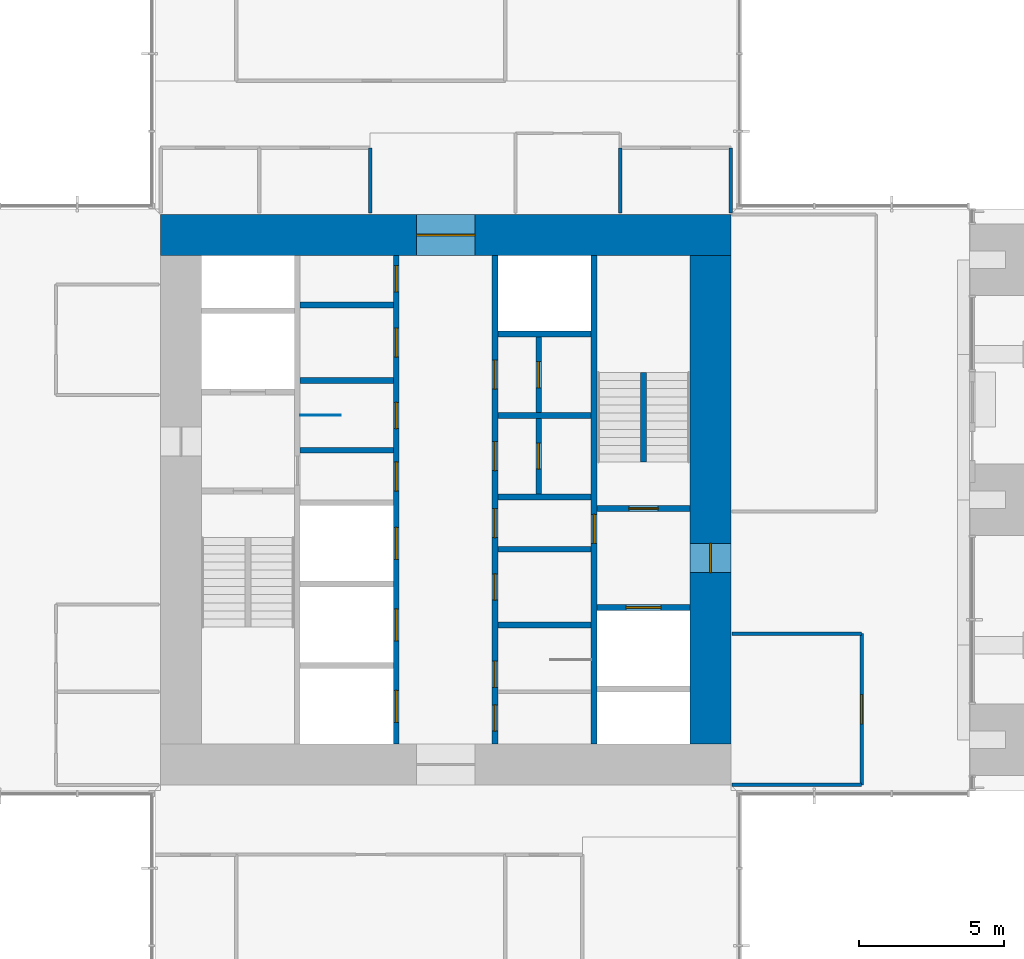
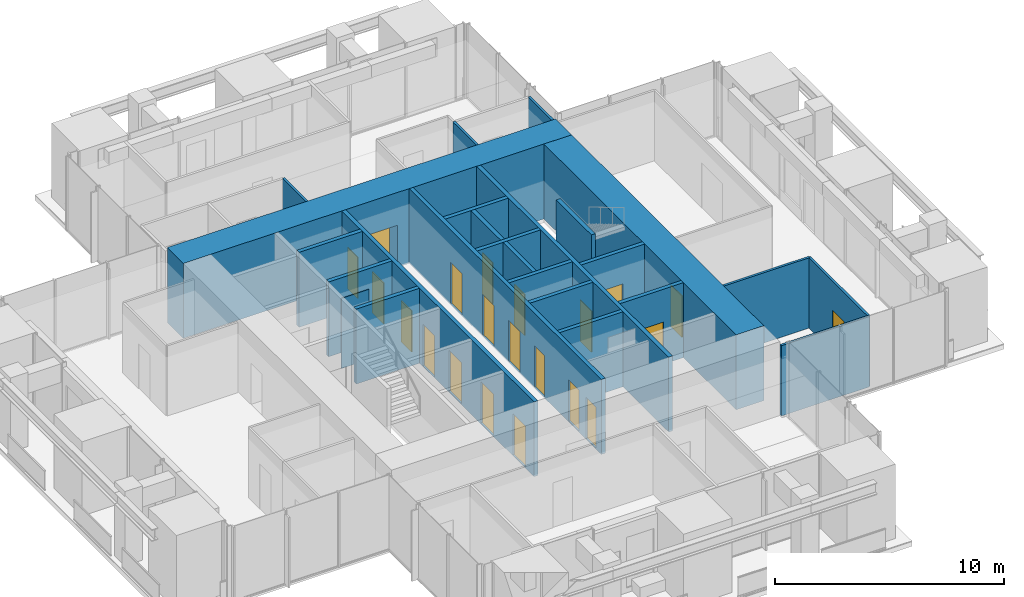
# One storey, part 13 of 17: 25 walls, 21 doors, 21 openings.
"""IFC4 building model written with IfcOpenShell, lengths in metres."""

from ifc_helpers import new_model, si_unit, direction, frame, frame_2d, origin, place, context, subcontext, project, spatial, rectangle, extrude, material, layer, layer_set, type_object, element, fill, save


model = new_model("IFC4")

# Units and contexts
model_context = context("Model", 3, precision=1e-05, world=origin(), true_north=direction((0.0, 1.0)))
body_context = subcontext(model_context, "Body", "Model", "MODEL_VIEW")
ifc_project = project(units=[si_unit("LENGTHUNIT", "METRE"), si_unit("AREAUNIT", "SQUARE_METRE"), si_unit("VOLUMEUNIT", "CUBIC_METRE"), si_unit("PLANEANGLEUNIT", "RADIAN"), si_unit("MASSUNIT", "GRAM", prefix="KILO")], contexts=[model_context])

# Site, building, storey
site_placement = place(None, origin())
site = spatial("IfcSite", under=ifc_project, at=site_placement, CompositionType="ELEMENT")
building_placement = place(site_placement, origin())
building = spatial("IfcBuilding", under=site, at=building_placement, Name="Svetlomir Tower", CompositionType="ELEMENT")
storey_placement = place(building_placement, frame((0.0, 0.0, 222.5)))
storey = spatial("IfcBuildingStorey", under=building, at=storey_placement, Name="L53", CompositionType="ELEMENT", Elevation=222.5)

# Wall, openings, doors
ifc_material_1 = material(Name="Concrete C60/75", Category="concrete")
ifc_layer_1 = layer(ifc_material_1, 0.199951171875)
ifc_layer_set_1 = layer_set([ifc_layer_1], Name="Concrete C60/75")
wall_type_1 = type_object("IfcWallType", Name="CORE INNER WALL 200", PredefinedType="SHEAR", material=ifc_layer_set_1)
wall_1_placement = place(storey_placement, frame((19.300048828125, 12.60009765625, -0.050048828125), z_axis=(0.0, 0.0, 1.0), x_axis=(0.0, 1.0, 0.0)))
wall_1 = element("IfcWall", 1, at=wall_1_placement, inside=storey, type_object=wall_type_1, Name="Core inner wall 19.3 L53", PredefinedType="SHEAR", context=body_context, shape_type="SweptSolid", body=[
    extrude(rectangle(XDim=16.7998046875, YDim=0.199951171875, at=frame_2d((8.39990234375, 0.0))), origin(), (0.0, 0.0, 1.0), 4.0),
])
opening_1_placement = place(wall_1_placement, frame((8.699951171875, 0.0, 0.050048828125)))
opening_1 = element("IfcOpeningElement", 2, at=opening_1_placement, cuts=wall_1, Name="Opening DC", PredefinedType="OPENING", context=body_context, shape_type="SweptSolid", body=[
    extrude(rectangle(XDim=1.0, YDim=2.199951171875, at=frame_2d((0.5, 1.10009765625))), frame((0.0, 0.10986328125, 0.0), z_axis=(0.0, -1.0, 0.0), x_axis=(1.0, 0.0, 0.0)), (0.0, 0.0, 1.0), 0.219970703125),
])
opening_2_placement = place(wall_1_placement, frame((10.85009765625, 0.0, 0.050048828125)))
opening_2 = element("IfcOpeningElement", 3, at=opening_2_placement, cuts=wall_1, Name="Opening DW", PredefinedType="OPENING", context=body_context, shape_type="SweptSolid", body=[
    extrude(rectangle(XDim=0.89990234375, YDim=2.199951171875, at=frame_2d((0.449951171875, 1.10009765625))), frame((0.0, 0.10986328125, 0.0), z_axis=(0.0, -1.0, 0.0), x_axis=(1.0, 0.0, 0.0)), (0.0, 0.0, 1.0), 0.219970703125),
])
opening_3_placement = place(wall_1_placement, frame((13.300048828125, 0.0, 0.050048828125)))
opening_3 = element("IfcOpeningElement", 4, at=opening_3_placement, cuts=wall_1, Name="Opening DC", PredefinedType="OPENING", context=body_context, shape_type="SweptSolid", body=[
    extrude(rectangle(XDim=1.0, YDim=2.199951171875, at=frame_2d((0.5, 1.10009765625))), frame((0.0, 0.10986328125, 0.0), z_axis=(0.0, -1.0, 0.0), x_axis=(1.0, 0.0, 0.0)), (0.0, 0.0, 1.0), 0.219970703125),
])
opening_4_placement = place(wall_1_placement, frame((15.550048828125, 0.0, 0.050048828125)))
opening_4 = element("IfcOpeningElement", 5, at=opening_4_placement, cuts=wall_1, Name="Opening DW", PredefinedType="OPENING", context=body_context, shape_type="SweptSolid", body=[
    extrude(rectangle(XDim=0.89990234375, YDim=2.199951171875, at=frame_2d((0.449951171875, 1.10009765625))), frame((0.0, 0.10986328125, 0.0), z_axis=(0.0, -1.0, 0.0), x_axis=(1.0, 0.0, 0.0)), (0.0, 0.0, 1.0), 0.219970703125),
])
opening_5_placement = place(wall_1_placement, frame((0.75, 0.0, 0.050048828125)))
opening_5 = element("IfcOpeningElement", 6, at=opening_5_placement, cuts=wall_1, Name="Opening LD", PredefinedType="OPENING", context=body_context, shape_type="SweptSolid", body=[
    extrude(rectangle(XDim=1.10009765625, YDim=2.199951171875, at=frame_2d((0.550048828125, 1.10009765625))), frame((0.0, 0.10986328125, 0.0), z_axis=(0.0, -1.0, 0.0), x_axis=(1.0, 0.0, 0.0)), (0.0, 0.0, 1.0), 0.219970703125),
])
opening_6_placement = place(wall_1_placement, frame((3.550048828125, 0.0, 0.050048828125)))
opening_6 = element("IfcOpeningElement", 7, at=opening_6_placement, cuts=wall_1, Name="Opening LD", PredefinedType="OPENING", context=body_context, shape_type="SweptSolid", body=[
    extrude(rectangle(XDim=1.10009765625, YDim=2.199951171875, at=frame_2d((0.550048828125, 1.10009765625))), frame((0.0, 0.10986328125, 0.0), z_axis=(0.0, -1.0, 0.0), x_axis=(1.0, 0.0, 0.0)), (0.0, 0.0, 1.0), 0.219970703125),
])
opening_7_placement = place(wall_1_placement, frame((6.35009765625, 0.0, 0.050048828125)))
opening_7 = element("IfcOpeningElement", 8, at=opening_7_placement, cuts=wall_1, Name="Opening LD", PredefinedType="OPENING", context=body_context, shape_type="SweptSolid", body=[
    extrude(rectangle(XDim=1.10009765625, YDim=2.199951171875, at=frame_2d((0.550048828125, 1.10009765625))), frame((0.0, 0.10986328125, 0.0), z_axis=(0.0, -1.0, 0.0), x_axis=(1.0, 0.0, 0.0)), (0.0, 0.0, 1.0), 0.219970703125),
])
ifc_material_2 = material(Name="Timber fire door", Category="wood")
door_type_1 = type_object("IfcDoorType", Name="DOOR DC 1000x2200", OperationType="SINGLE_SWING_LEFT", PredefinedType="DOOR", material=ifc_material_2)
door_1_placement = place(opening_1_placement, origin())
door_1 = element("IfcDoor", 9, at=door_1_placement, inside=storey, type_object=door_type_1, Name="Core corridor west lobby door L53", OperationType="SINGLE_SWING_RIGHT", OverallHeight=2.199951171875, OverallWidth=1.0, PredefinedType="DOOR", context=body_context, shape_type="SweptSolid", body=[
    extrude(rectangle(XDim=1.0, YDim=2.199951171875, at=frame_2d((0.5, 1.10009765625))), frame((0.0, 0.02490234375, 0.0), z_axis=(0.0, -1.0, 0.0), x_axis=(1.0, 0.0, 0.0)), (0.0, 0.0, 1.0), 0.050048828125),
])
fill(opening_1, door_1)
door_2_placement = place(opening_3_placement, origin())
door_2 = element("IfcDoor", 10, at=door_2_placement, inside=storey, type_object=door_type_1, Name="Accessible WC door L53", OperationType="SINGLE_SWING_LEFT", OverallHeight=2.199951171875, OverallWidth=1.0, PredefinedType="DOOR", context=body_context, shape_type="SweptSolid", body=[
    extrude(rectangle(XDim=1.0, YDim=2.199951171875, at=frame_2d((0.5, 1.10009765625))), frame((0.0, 0.02490234375, 0.0), z_axis=(0.0, -1.0, 0.0), x_axis=(1.0, 0.0, 0.0)), (0.0, 0.0, 1.0), 0.050048828125),
])
fill(opening_3, door_2)
ifc_material_3 = material(Name="Timber fire door", Category="wood")
door_type_2 = type_object("IfcDoorType", Name="DOOR DW 900x2200", OperationType="SINGLE_SWING_LEFT", PredefinedType="DOOR", material=ifc_material_3)
door_3_placement = place(opening_2_placement, origin())
door_3 = element("IfcDoor", 11, at=door_3_placement, inside=storey, type_object=door_type_2, Name="Female WC door L53", OperationType="SINGLE_SWING_RIGHT", OverallHeight=2.199951171875, OverallWidth=0.89990234375, PredefinedType="DOOR", context=body_context, shape_type="SweptSolid", body=[
    extrude(rectangle(XDim=0.89990234375, YDim=2.199951171875, at=frame_2d((0.449951171875, 1.10009765625))), frame((0.0, 0.02490234375, 0.0), z_axis=(0.0, -1.0, 0.0), x_axis=(1.0, 0.0, 0.0)), (0.0, 0.0, 1.0), 0.050048828125),
])
fill(opening_2, door_3)
door_4_placement = place(opening_4_placement, origin())
door_4 = element("IfcDoor", 12, at=door_4_placement, inside=storey, type_object=door_type_2, Name="Tea point door L53", OperationType="SINGLE_SWING_RIGHT", OverallHeight=2.199951171875, OverallWidth=0.89990234375, PredefinedType="DOOR", context=body_context, shape_type="SweptSolid", body=[
    extrude(rectangle(XDim=0.89990234375, YDim=2.199951171875, at=frame_2d((0.449951171875, 1.10009765625))), frame((0.0, 0.02490234375, 0.0), z_axis=(0.0, -1.0, 0.0), x_axis=(1.0, 0.0, 0.0)), (0.0, 0.0, 1.0), 0.050048828125),
])
fill(opening_4, door_4)
ifc_material_4 = material(Name="Stainless steel landing door", Category="steel")
door_type_3 = type_object("IfcDoorType", Name="LIFT LANDING DOOR LD 1100x2200", OperationType="DOUBLE_DOOR_SLIDING", PredefinedType="DOOR", material=ifc_material_4)
door_5_placement = place(opening_5_placement, origin())
door_5 = element("IfcDoor", 13, at=door_5_placement, inside=storey, type_object=door_type_3, Name="Landing door lift LC1 L53", OperationType="DOUBLE_DOOR_SLIDING", OverallHeight=2.199951171875, OverallWidth=1.10009765625, PredefinedType="DOOR", context=body_context, shape_type="SweptSolid", body=[
    extrude(rectangle(XDim=1.10009765625, YDim=2.199951171875, at=frame_2d((0.550048828125, 1.10009765625))), frame((0.0, 0.02490234375, 0.0), z_axis=(0.0, -1.0, 0.0), x_axis=(1.0, 0.0, 0.0)), (0.0, 0.0, 1.0), 0.050048828125),
])
fill(opening_5, door_5)
door_6_placement = place(opening_6_placement, origin())
door_6 = element("IfcDoor", 14, at=door_6_placement, inside=storey, type_object=door_type_3, Name="Landing door lift LC2 L53", OperationType="DOUBLE_DOOR_SLIDING", OverallHeight=2.199951171875, OverallWidth=1.10009765625, PredefinedType="DOOR", context=body_context, shape_type="SweptSolid", body=[
    extrude(rectangle(XDim=1.10009765625, YDim=2.199951171875, at=frame_2d((0.550048828125, 1.10009765625))), frame((0.0, 0.02490234375, 0.0), z_axis=(0.0, -1.0, 0.0), x_axis=(1.0, 0.0, 0.0)), (0.0, 0.0, 1.0), 0.050048828125),
])
fill(opening_6, door_6)
door_7_placement = place(opening_7_placement, origin())
door_7 = element("IfcDoor", 15, at=door_7_placement, inside=storey, type_object=door_type_3, Name="Landing door lift LC3 L53", OperationType="DOUBLE_DOOR_SLIDING", OverallHeight=2.199951171875, OverallWidth=1.10009765625, PredefinedType="DOOR", context=body_context, shape_type="SweptSolid", body=[
    extrude(rectangle(XDim=1.10009765625, YDim=2.199951171875, at=frame_2d((0.550048828125, 1.10009765625))), frame((0.0, 0.02490234375, 0.0), z_axis=(0.0, -1.0, 0.0), x_axis=(1.0, 0.0, 0.0)), (0.0, 0.0, 1.0), 0.050048828125),
])
fill(opening_7, door_7)

wall_2_placement = place(storey_placement, frame((22.699951171875, 12.60009765625, -0.050048828125), z_axis=(0.0, 0.0, 1.0), x_axis=(0.0, 1.0, 0.0)))
wall_2 = element("IfcWall", 16, at=wall_2_placement, inside=storey, type_object=wall_type_1, Name="Core inner wall 22.7 L53", PredefinedType="SHEAR", context=body_context, shape_type="SweptSolid", body=[
    extrude(rectangle(XDim=16.7998046875, YDim=0.199951171875, at=frame_2d((8.39990234375, 0.0))), origin(), (0.0, 0.0, 1.0), 4.0),
])
opening_8_placement = place(wall_2_placement, frame((0.449951171875, 0.0, 0.050048828125)))
opening_8 = element("IfcOpeningElement", 17, at=opening_8_placement, cuts=wall_2, Name="Opening DW", PredefinedType="OPENING", context=body_context, shape_type="SweptSolid", body=[
    extrude(rectangle(XDim=0.89990234375, YDim=2.199951171875, at=frame_2d((0.449951171875, 1.10009765625))), frame((0.0, 0.10986328125, 0.0), z_axis=(0.0, -1.0, 0.0), x_axis=(1.0, 0.0, 0.0)), (0.0, 0.0, 1.0), 0.219970703125),
])
opening_9_placement = place(wall_2_placement, frame((7.10009765625, 0.0, 0.050048828125)))
opening_9 = element("IfcOpeningElement", 18, at=opening_9_placement, cuts=wall_2, Name="Opening DC", PredefinedType="OPENING", context=body_context, shape_type="SweptSolid", body=[
    extrude(rectangle(XDim=1.0, YDim=2.199951171875, at=frame_2d((0.5, 1.10009765625))), frame((0.0, 0.10986328125, 0.0), z_axis=(0.0, -1.0, 0.0), x_axis=(1.0, 0.0, 0.0)), (0.0, 0.0, 1.0), 0.219970703125),
])
opening_10_placement = place(wall_2_placement, frame((1.949951171875, 0.0, 0.050048828125)))
opening_10 = element("IfcOpeningElement", 19, at=opening_10_placement, cuts=wall_2, Name="Opening DW", PredefinedType="OPENING", context=body_context, shape_type="SweptSolid", body=[
    extrude(rectangle(XDim=0.89990234375, YDim=2.199951171875, at=frame_2d((0.449951171875, 1.10009765625))), frame((0.0, 0.10986328125, 0.0), z_axis=(0.0, -1.0, 0.0), x_axis=(1.0, 0.0, 0.0)), (0.0, 0.0, 1.0), 0.219970703125),
])
opening_11_placement = place(wall_2_placement, frame((4.949951171875, 0.0, 0.050048828125)))
opening_11 = element("IfcOpeningElement", 20, at=opening_11_placement, cuts=wall_2, Name="Opening DW", PredefinedType="OPENING", context=body_context, shape_type="SweptSolid", body=[
    extrude(rectangle(XDim=0.89990234375, YDim=2.199951171875, at=frame_2d((0.449951171875, 1.10009765625))), frame((0.0, 0.10986328125, 0.0), z_axis=(0.0, -1.0, 0.0), x_axis=(1.0, 0.0, 0.0)), (0.0, 0.0, 1.0), 0.219970703125),
])
opening_12_placement = place(wall_2_placement, frame((9.39990234375, 0.0, 0.050048828125)))
opening_12 = element("IfcOpeningElement", 21, at=opening_12_placement, cuts=wall_2, Name="Opening DC", PredefinedType="OPENING", context=body_context, shape_type="SweptSolid", body=[
    extrude(rectangle(XDim=1.0, YDim=2.199951171875, at=frame_2d((0.5, 1.10009765625))), frame((0.0, 0.10986328125, 0.0), z_axis=(0.0, -1.0, 0.0), x_axis=(1.0, 0.0, 0.0)), (0.0, 0.0, 1.0), 0.219970703125),
])
opening_13_placement = place(wall_2_placement, frame((12.199951171875, 0.0, 0.050048828125)))
opening_13 = element("IfcOpeningElement", 22, at=opening_13_placement, cuts=wall_2, Name="Opening DC", PredefinedType="OPENING", context=body_context, shape_type="SweptSolid", body=[
    extrude(rectangle(XDim=1.0, YDim=2.199951171875, at=frame_2d((0.5, 1.10009765625))), frame((0.0, 0.10986328125, 0.0), z_axis=(0.0, -1.0, 0.0), x_axis=(1.0, 0.0, 0.0)), (0.0, 0.0, 1.0), 0.219970703125),
])
door_8_placement = place(opening_9_placement, origin())
door_8 = element("IfcDoor", 23, at=door_8_placement, inside=storey, type_object=door_type_1, Name="Core corridor east lobby door L53", OperationType="SINGLE_SWING_LEFT", OverallHeight=2.199951171875, OverallWidth=1.0, PredefinedType="DOOR", context=body_context, shape_type="SweptSolid", body=[
    extrude(rectangle(XDim=1.0, YDim=2.199951171875, at=frame_2d((0.5, 1.10009765625))), frame((0.0, 0.02490234375, 0.0), z_axis=(0.0, -1.0, 0.0), x_axis=(1.0, 0.0, 0.0)), (0.0, 0.0, 1.0), 0.050048828125),
])
fill(opening_9, door_8)
door_9_placement = place(opening_12_placement, origin())
door_9 = element("IfcDoor", 24, at=door_9_placement, inside=storey, type_object=door_type_1, Name="Converted shaft BANK-E1 room door L53", OperationType="SINGLE_SWING_LEFT", OverallHeight=2.199951171875, OverallWidth=1.0, PredefinedType="DOOR", context=body_context, shape_type="SweptSolid", body=[
    extrude(rectangle(XDim=1.0, YDim=2.199951171875, at=frame_2d((0.5, 1.10009765625))), frame((0.0, 0.02490234375, 0.0), z_axis=(0.0, -1.0, 0.0), x_axis=(1.0, 0.0, 0.0)), (0.0, 0.0, 1.0), 0.050048828125),
])
fill(opening_12, door_9)
door_10_placement = place(opening_13_placement, origin())
door_10 = element("IfcDoor", 25, at=door_10_placement, inside=storey, type_object=door_type_1, Name="Converted shaft BANK-E2 room door L53", OperationType="SINGLE_SWING_LEFT", OverallHeight=2.199951171875, OverallWidth=1.0, PredefinedType="DOOR", context=body_context, shape_type="SweptSolid", body=[
    extrude(rectangle(XDim=1.0, YDim=2.199951171875, at=frame_2d((0.5, 1.10009765625))), frame((0.0, 0.02490234375, 0.0), z_axis=(0.0, -1.0, 0.0), x_axis=(1.0, 0.0, 0.0)), (0.0, 0.0, 1.0), 0.050048828125),
])
fill(opening_13, door_10)
door_11_placement = place(opening_8_placement, origin())
door_11 = element("IfcDoor", 26, at=door_11_placement, inside=storey, type_object=door_type_2, Name="Floor store door L53", OperationType="SINGLE_SWING_LEFT", OverallHeight=2.199951171875, OverallWidth=0.89990234375, PredefinedType="DOOR", context=body_context, shape_type="SweptSolid", body=[
    extrude(rectangle(XDim=0.89990234375, YDim=2.199951171875, at=frame_2d((0.449951171875, 1.10009765625))), frame((0.0, 0.02490234375, 0.0), z_axis=(0.0, -1.0, 0.0), x_axis=(1.0, 0.0, 0.0)), (0.0, 0.0, 1.0), 0.050048828125),
])
fill(opening_8, door_11)
door_12_placement = place(opening_10_placement, origin())
door_12 = element("IfcDoor", 27, at=door_12_placement, inside=storey, type_object=door_type_2, Name="Male WC door L53", OperationType="SINGLE_SWING_LEFT", OverallHeight=2.199951171875, OverallWidth=0.89990234375, PredefinedType="DOOR", context=body_context, shape_type="SweptSolid", body=[
    extrude(rectangle(XDim=0.89990234375, YDim=2.199951171875, at=frame_2d((0.449951171875, 1.10009765625))), frame((0.0, 0.02490234375, 0.0), z_axis=(0.0, -1.0, 0.0), x_axis=(1.0, 0.0, 0.0)), (0.0, 0.0, 1.0), 0.050048828125),
])
fill(opening_10, door_12)
door_13_placement = place(opening_11_placement, origin())
door_13 = element("IfcDoor", 28, at=door_13_placement, inside=storey, type_object=door_type_2, Name="Comms room door L53", OperationType="SINGLE_SWING_RIGHT", OverallHeight=2.199951171875, OverallWidth=0.89990234375, PredefinedType="DOOR", context=body_context, shape_type="SweptSolid", body=[
    extrude(rectangle(XDim=0.89990234375, YDim=2.199951171875, at=frame_2d((0.449951171875, 1.10009765625))), frame((0.0, 0.02490234375, 0.0), z_axis=(0.0, -1.0, 0.0), x_axis=(1.0, 0.0, 0.0)), (0.0, 0.0, 1.0), 0.050048828125),
])
fill(opening_11, door_13)

# Wall, opening, door
wall_3_placement = place(storey_placement, frame((26.10009765625, 12.60009765625, -0.050048828125), z_axis=(0.0, 0.0, 1.0), x_axis=(0.0, 1.0, 0.0)))
wall_3 = element("IfcWall", 29, at=wall_3_placement, inside=storey, type_object=wall_type_1, Name="Core inner wall 26.1 L53", PredefinedType="SHEAR", context=body_context, shape_type="SweptSolid", body=[
    extrude(rectangle(XDim=16.7998046875, YDim=0.199951171875, at=frame_2d((8.39990234375, 0.0))), origin(), (0.0, 0.0, 1.0), 4.0),
])
opening_14_placement = place(wall_3_placement, frame((6.89990234375, 0.0, 0.050048828125)))
opening_14 = element("IfcOpeningElement", 30, at=opening_14_placement, cuts=wall_3, Name="Opening DF", PredefinedType="OPENING", context=body_context, shape_type="SweptSolid", body=[
    extrude(rectangle(XDim=1.0, YDim=2.199951171875, at=frame_2d((0.5, 1.10009765625))), frame((0.0, 0.10986328125, 0.0), z_axis=(0.0, -1.0, 0.0), x_axis=(1.0, 0.0, 0.0)), (0.0, 0.0, 1.0), 0.219970703125),
])
ifc_material_5 = material(Name="Steel fire door", Category="steel")
door_type_4 = type_object("IfcDoorType", Name="DOOR DF 1000x2200", OperationType="SINGLE_SWING_LEFT", PredefinedType="DOOR", material=ifc_material_5)
door_14_placement = place(opening_14_placement, origin())
door_14 = element("IfcDoor", 31, at=door_14_placement, inside=storey, type_object=door_type_4, Name="Core corridor east door L53", OperationType="SINGLE_SWING_LEFT", OverallHeight=2.199951171875, OverallWidth=1.0, PredefinedType="DOOR", context=body_context, shape_type="SweptSolid", body=[
    extrude(rectangle(XDim=1.0, YDim=2.199951171875, at=frame_2d((0.5, 1.10009765625))), frame((0.0, 0.02490234375, 0.0), z_axis=(0.0, -1.0, 0.0), x_axis=(1.0, 0.0, 0.0)), (0.0, 0.0, 1.0), 0.050048828125),
])
fill(opening_14, door_14)

# Walls
for number, where, z_axis, x_axis, name in (
    (32, (16.0, 22.699951171875, -0.050048828125), (0.0, 0.0, 1.0), (1.0, 0.0, 0.0), "Core inner wall 16-19.2/22.7 L53"),
    (33, (16.0, 25.10009765625, -0.050048828125), (0.0, 0.0, 1.0), (1.0, 0.0, 0.0), "Core inner wall 16-19.2/25.1 L53"),
    (34, (16.0, 27.699951171875, -0.050048828125), (0.0, 0.0, 1.0), (1.0, 0.0, 0.0), "Core inner wall 16-19.2/27.7 L53"),
    (35, (22.800048828125, 16.699951171875, -0.050048828125), (0.0, 0.0, 1.0), (1.0, 0.0, 0.0), "Core inner wall 22.8-26/16.7 L53"),
    (36, (22.800048828125, 19.300048828125, -0.050048828125), (0.0, 0.0, 1.0), (1.0, 0.0, 0.0), "Core inner wall 22.8-26/19.3 L53"),
    (37, (22.800048828125, 21.10009765625, -0.050048828125), (0.0, 0.0, 1.0), (1.0, 0.0, 0.0), "Core inner wall 22.8-26/21.1 L53"),
    (38, (22.800048828125, 23.89990234375, -0.050048828125), (0.0, 0.0, 1.0), (1.0, 0.0, 0.0), "Core inner wall 22.8-26/23.9 L53"),
    (39, (22.800048828125, 26.699951171875, -0.050048828125), (0.0, 0.0, 1.0), (1.0, 0.0, 0.0), "Core inner wall 22.8-26/26.7 L53"),
):
    element("IfcWall", number, at=place(storey_placement, frame(where, z_axis=z_axis, x_axis=x_axis)), inside=storey, type_object=wall_type_1, Name=name, PredefinedType="SHEAR", context=body_context, shape_type="SweptSolid", body=[
        extrude(rectangle(XDim=3.199951171875, YDim=0.199951171875, at=frame_2d((1.60009765625, 0.0))), origin(), (0.0, 0.0, 1.0), 4.0),
    ])

# Wall, opening, door
wall_4_placement = place(storey_placement, frame((26.199951171875, 17.300048828125, -0.050048828125), z_axis=(0.0, 0.0, 1.0), x_axis=(1.0, 0.0, 0.0)))
wall_4 = element("IfcWall", 40, at=wall_4_placement, inside=storey, type_object=wall_type_1, Name="Core inner wall 26.2-29.4/17.3 L53", PredefinedType="SHEAR", context=body_context, shape_type="SweptSolid", body=[
    extrude(rectangle(XDim=3.199951171875, YDim=0.199951171875, at=frame_2d((1.60009765625, 0.0))), origin(), (0.0, 0.0, 1.0), 4.0),
])
opening_15_placement = place(wall_4_placement, frame((1.0, 0.0, 0.050048828125)))
opening_15 = element("IfcOpeningElement", 41, at=opening_15_placement, cuts=wall_4, Name="Opening LD3", PredefinedType="OPENING", context=body_context, shape_type="SweptSolid", body=[
    extrude(rectangle(XDim=1.199951171875, YDim=2.199951171875, at=frame_2d((0.60009765625, 1.10009765625))), frame((0.0, 0.10986328125, 0.0), z_axis=(0.0, -1.0, 0.0), x_axis=(1.0, 0.0, 0.0)), (0.0, 0.0, 1.0), 0.219970703125),
])
ifc_material_6 = material(Name="Stainless steel fire-rated landing door", Category="steel")
door_type_5 = type_object("IfcDoorType", Name="FIREFIGHTING LIFT LANDING DOOR LD3 1200x2200", OperationType="DOUBLE_DOOR_SLIDING", PredefinedType="DOOR", material=ifc_material_6)
door_15_placement = place(opening_15_placement, origin())
door_15 = element("IfcDoor", 42, at=door_15_placement, inside=storey, type_object=door_type_5, Name="Landing door lift FL2 L53", OperationType="DOUBLE_DOOR_SLIDING", OverallHeight=2.199951171875, OverallWidth=1.199951171875, PredefinedType="DOOR", context=body_context, shape_type="SweptSolid", body=[
    extrude(rectangle(XDim=1.199951171875, YDim=2.199951171875, at=frame_2d((0.60009765625, 1.10009765625))), frame((0.0, 0.02490234375, 0.0), z_axis=(0.0, -1.0, 0.0), x_axis=(1.0, 0.0, 0.0)), (0.0, 0.0, 1.0), 0.050048828125),
])
fill(opening_15, door_15)

wall_5_placement = place(storey_placement, frame((26.199951171875, 20.699951171875, -0.050048828125), z_axis=(0.0, 0.0, 1.0), x_axis=(1.0, 0.0, 0.0)))
wall_5 = element("IfcWall", 43, at=wall_5_placement, inside=storey, type_object=wall_type_1, Name="Core inner wall 26.2-29.4/20.7 L53", PredefinedType="SHEAR", context=body_context, shape_type="SweptSolid", body=[
    extrude(rectangle(XDim=3.199951171875, YDim=0.199951171875, at=frame_2d((1.60009765625, 0.0))), origin(), (0.0, 0.0, 1.0), 4.0),
])
opening_16_placement = place(wall_5_placement, frame((1.10009765625, 0.0, 0.050048828125)))
opening_16 = element("IfcOpeningElement", 44, at=opening_16_placement, cuts=wall_5, Name="Opening DF", PredefinedType="OPENING", context=body_context, shape_type="SweptSolid", body=[
    extrude(rectangle(XDim=1.0, YDim=2.199951171875, at=frame_2d((0.5, 1.10009765625))), frame((0.0, 0.10986328125, 0.0), z_axis=(0.0, -1.0, 0.0), x_axis=(1.0, 0.0, 0.0)), (0.0, 0.0, 1.0), 0.219970703125),
])
door_16_placement = place(opening_16_placement, origin())
door_16 = element("IfcDoor", 45, at=door_16_placement, inside=storey, type_object=door_type_4, Name="Stair S2 door L53", OperationType="SINGLE_SWING_LEFT", OverallHeight=2.199951171875, OverallWidth=1.0, PredefinedType="DOOR", context=body_context, shape_type="SweptSolid", body=[
    extrude(rectangle(XDim=1.0, YDim=2.199951171875, at=frame_2d((0.5, 1.10009765625))), frame((0.0, 0.02490234375, 0.0), z_axis=(0.0, -1.0, 0.0), x_axis=(1.0, 0.0, 0.0)), (0.0, 0.0, 1.0), 0.050048828125),
])
fill(opening_16, door_16)

wall_6_placement = place(storey_placement, frame((24.199951171875, 21.199951171875, -0.050048828125), z_axis=(0.0, 0.0, 1.0), x_axis=(0.0, 1.0, 0.0)))
wall_6 = element("IfcWall", 46, at=wall_6_placement, inside=storey, type_object=wall_type_1, Name="Core inner wall 24.2/21.2-23.8 L53", PredefinedType="SHEAR", context=body_context, shape_type="SweptSolid", body=[
    extrude(rectangle(XDim=2.60009765625, YDim=0.199951171875, at=frame_2d((1.300048828125, 0.0))), origin(), (0.0, 0.0, 1.0), 4.0),
])
opening_17_placement = place(wall_6_placement, frame((0.85009765625, 0.0, 0.050048828125)))
opening_17 = element("IfcOpeningElement", 47, at=opening_17_placement, cuts=wall_6, Name="Opening DW", PredefinedType="OPENING", context=body_context, shape_type="SweptSolid", body=[
    extrude(rectangle(XDim=0.89990234375, YDim=2.199951171875, at=frame_2d((0.449951171875, 1.10009765625))), frame((0.0, 0.10986328125, 0.0), z_axis=(0.0, -1.0, 0.0), x_axis=(1.0, 0.0, 0.0)), (0.0, 0.0, 1.0), 0.219970703125),
])
door_17_placement = place(opening_17_placement, origin())
door_17 = element("IfcDoor", 48, at=door_17_placement, inside=storey, type_object=door_type_2, Name="Converted shaft BANK-E1 back room door L53", OperationType="SINGLE_SWING_RIGHT", OverallHeight=2.199951171875, OverallWidth=0.89990234375, PredefinedType="DOOR", context=body_context, shape_type="SweptSolid", body=[
    extrude(rectangle(XDim=0.89990234375, YDim=2.199951171875, at=frame_2d((0.449951171875, 1.10009765625))), frame((0.0, 0.02490234375, 0.0), z_axis=(0.0, -1.0, 0.0), x_axis=(1.0, 0.0, 0.0)), (0.0, 0.0, 1.0), 0.050048828125),
])
fill(opening_17, door_17)

wall_7_placement = place(storey_placement, frame((24.199951171875, 24.0, -0.050048828125), z_axis=(0.0, 0.0, 1.0), x_axis=(0.0, 1.0, 0.0)))
wall_7 = element("IfcWall", 49, at=wall_7_placement, inside=storey, type_object=wall_type_1, Name="Core inner wall 24.2/24-26.6 L53", PredefinedType="SHEAR", context=body_context, shape_type="SweptSolid", body=[
    extrude(rectangle(XDim=2.60009765625, YDim=0.199951171875, at=frame_2d((1.300048828125, 0.0))), origin(), (0.0, 0.0, 1.0), 4.0),
])
opening_18_placement = place(wall_7_placement, frame((0.85009765625, 0.0, 0.050048828125)))
opening_18 = element("IfcOpeningElement", 50, at=opening_18_placement, cuts=wall_7, Name="Opening DW", PredefinedType="OPENING", context=body_context, shape_type="SweptSolid", body=[
    extrude(rectangle(XDim=0.89990234375, YDim=2.199951171875, at=frame_2d((0.449951171875, 1.10009765625))), frame((0.0, 0.10986328125, 0.0), z_axis=(0.0, -1.0, 0.0), x_axis=(1.0, 0.0, 0.0)), (0.0, 0.0, 1.0), 0.219970703125),
])
door_18_placement = place(opening_18_placement, origin())
door_18 = element("IfcDoor", 51, at=door_18_placement, inside=storey, type_object=door_type_2, Name="Converted shaft BANK-E2 back room door L53", OperationType="SINGLE_SWING_RIGHT", OverallHeight=2.199951171875, OverallWidth=0.89990234375, PredefinedType="DOOR", context=body_context, shape_type="SweptSolid", body=[
    extrude(rectangle(XDim=0.89990234375, YDim=2.199951171875, at=frame_2d((0.449951171875, 1.10009765625))), frame((0.0, 0.02490234375, 0.0), z_axis=(0.0, -1.0, 0.0), x_axis=(1.0, 0.0, 0.0)), (0.0, 0.0, 1.0), 0.050048828125),
])
fill(opening_18, door_18)

ifc_material_7 = material(Name="Concrete C60/75", Category="concrete")
ifc_layer_2 = layer(ifc_material_7, 1.39990234375)
ifc_layer_set_2 = layer_set([ifc_layer_2], Name="Concrete C60/75")
wall_type_2 = type_object("IfcWallType", Name="CORE WALL 1400", PredefinedType="SHEAR", material=ifc_layer_set_2)
wall_8_placement = place(storey_placement, frame((11.199951171875, 30.10009765625, -0.050048828125), z_axis=(0.0, 0.0, 1.0), x_axis=(1.0, 0.0, 0.0)))
wall_8 = element("IfcWall", 52, at=wall_8_placement, inside=storey, type_object=wall_type_2, Name="Core wall north L53", PredefinedType="SHEAR", context=body_context, shape_type="SweptSolid", body=[
    extrude(rectangle(XDim=19.60009765625, YDim=1.39990234375, at=frame_2d((9.800048828125, 0.0))), origin(), (0.0, 0.0, 1.0), 4.0),
])
opening_19_placement = place(wall_8_placement, frame((8.800048828125, 0.0, 0.050048828125)))
opening_19 = element("IfcOpeningElement", 53, at=opening_19_placement, cuts=wall_8, Name="Opening DL", PredefinedType="OPENING", context=body_context, shape_type="SweptSolid", body=[
    extrude(rectangle(XDim=2.0, YDim=2.199951171875, at=frame_2d((1.0, 1.10009765625))), frame((0.0, 0.7099609375, 0.0), z_axis=(0.0, -1.0, 0.0), x_axis=(1.0, 0.0, 0.0)), (0.0, 0.0, 1.0), 1.419921875),
])
ifc_material_8 = material(Name="Steel fire door", Category="steel")
door_type_6 = type_object("IfcDoorType", Name="DOOR DL 2000x2200", OperationType="DOUBLE_DOOR_SINGLE_SWING", PredefinedType="DOOR", material=ifc_material_8)
door_19_placement = place(opening_19_placement, origin())
door_19 = element("IfcDoor", 54, at=door_19_placement, inside=storey, type_object=door_type_6, Name="Lift lobby north door L53", OperationType="DOUBLE_DOOR_SINGLE_SWING", OverallHeight=2.199951171875, OverallWidth=2.0, PredefinedType="DOOR", context=body_context, shape_type="SweptSolid", body=[
    extrude(rectangle(XDim=2.0, YDim=2.199951171875, at=frame_2d((1.0, 1.10009765625))), frame((0.0, 0.02490234375, 0.0), z_axis=(0.0, -1.0, 0.0), x_axis=(1.0, 0.0, 0.0)), (0.0, 0.0, 1.0), 0.050048828125),
])
fill(opening_19, door_19)

wall_9_placement = place(storey_placement, frame((30.10009765625, 12.60009765625, -0.050048828125), z_axis=(0.0, 0.0, 1.0), x_axis=(0.0, 1.0, 0.0)))
wall_9 = element("IfcWall", 55, at=wall_9_placement, inside=storey, type_object=wall_type_2, Name="Core wall east L53", PredefinedType="SHEAR", context=body_context, shape_type="SweptSolid", body=[
    extrude(rectangle(XDim=16.7998046875, YDim=1.39990234375, at=frame_2d((8.39990234375, 0.0))), origin(), (0.0, 0.0, 1.0), 4.0),
])
opening_20_placement = place(wall_9_placement, frame((5.89990234375, 0.0, 0.050048828125)))
opening_20 = element("IfcOpeningElement", 56, at=opening_20_placement, cuts=wall_9, Name="Opening DF", PredefinedType="OPENING", context=body_context, shape_type="SweptSolid", body=[
    extrude(rectangle(XDim=1.0, YDim=2.199951171875, at=frame_2d((0.5, 1.10009765625))), frame((0.0, 0.7099609375, 0.0), z_axis=(0.0, -1.0, 0.0), x_axis=(1.0, 0.0, 0.0)), (0.0, 0.0, 1.0), 1.419921875),
])
door_20_placement = place(opening_20_placement, origin())
door_20 = element("IfcDoor", 57, at=door_20_placement, inside=storey, type_object=door_type_4, Name="Firefighting lobby east door L53", OperationType="SINGLE_SWING_LEFT", OverallHeight=2.199951171875, OverallWidth=1.0, PredefinedType="DOOR", context=body_context, shape_type="SweptSolid", body=[
    extrude(rectangle(XDim=1.0, YDim=2.199951171875, at=frame_2d((0.5, 1.10009765625))), frame((0.0, 0.02490234375, 0.0), z_axis=(0.0, -1.0, 0.0), x_axis=(1.0, 0.0, 0.0)), (0.0, 0.0, 1.0), 0.050048828125),
])
fill(opening_20, door_20)

# Walls
ifc_material_9 = material(Name="Gypsum board on steel studs", Category="steel")
ifc_layer_3 = layer(ifc_material_9, 0.1201171875)
ifc_layer_set_3 = layer_set([ifc_layer_3], Name="Gypsum board on steel studs")
wall_type_3 = type_object("IfcWallType", Name="PARTITION 120", PredefinedType="PARTITIONING", material=ifc_layer_set_3)
for number, where, z_axis, x_axis, name in (
    (58, (18.39990234375, 30.85009765625, 0.0), (0.0, 0.0, 1.0), (0.0, 1.0, 0.0), "Partition L53"),
    (59, (27.0, 30.85009765625, 0.0), (0.0, 0.0, 1.0), (0.0, 1.0, 0.0), "Partition L53"),
    (60, (30.800048828125, 30.85009765625, 0.0), (0.0, 0.0, 1.0), (0.0, 1.0, 0.0), "Partition L53"),
):
    element("IfcWall", number, at=place(storey_placement, frame(where, z_axis=z_axis, x_axis=x_axis)), inside=storey, type_object=wall_type_3, Name=name, PredefinedType="PARTITIONING", context=body_context, shape_type="SweptSolid", body=[
        extrude(rectangle(XDim=2.25, YDim=0.1201171875, at=frame_2d((1.125, 0.0))), origin(), (0.0, 0.0, 1.0), 3.75),
    ])
for number, where, z_axis, x_axis, name in (
    (61, (30.85009765625, 11.199951171875, 0.0), (0.0, 0.0, 1.0), (1.0, 0.0, 0.0), "Partition L53"),
    (62, (30.85009765625, 16.39990234375, 0.0), (0.0, 0.0, 1.0), (1.0, 0.0, 0.0), "Partition L53"),
):
    element("IfcWall", number, at=place(storey_placement, frame(where, z_axis=z_axis, x_axis=x_axis)), inside=storey, type_object=wall_type_3, Name=name, PredefinedType="PARTITIONING", context=body_context, shape_type="SweptSolid", body=[
        extrude(rectangle(XDim=4.449951171875, YDim=0.1201171875, at=frame_2d((2.22509765625, 0.0))), origin(), (0.0, 0.0, 1.0), 3.75),
    ])

# Wall, opening, door
wall_10_placement = place(storey_placement, frame((35.300048828125, 11.199951171875, 0.0), z_axis=(0.0, 0.0, 1.0), x_axis=(0.0, 1.0, 0.0)))
wall_10 = element("IfcWall", 63, at=wall_10_placement, inside=storey, type_object=wall_type_3, Name="Partition L53", PredefinedType="PARTITIONING", context=body_context, shape_type="SweptSolid", body=[
    extrude(rectangle(XDim=5.199951171875, YDim=0.1201171875, at=frame_2d((2.60009765625, 0.0))), origin(), (0.0, 0.0, 1.0), 3.75),
])
opening_21_placement = place(wall_10_placement, frame((2.10009765625, 0.0, 0.0)))
opening_21 = element("IfcOpeningElement", 64, at=opening_21_placement, cuts=wall_10, Name="Opening DR", PredefinedType="OPENING", context=body_context, shape_type="SweptSolid", body=[
    extrude(rectangle(XDim=1.0, YDim=2.199951171875, at=frame_2d((0.5, 1.10009765625))), frame((0.0, 0.070068359375, 0.0), z_axis=(0.0, -1.0, 0.0), x_axis=(1.0, 0.0, 0.0)), (0.0, 0.0, 1.0), 0.14013671875),
])
ifc_material_10 = material(Name="Timber door, glazed side light", Category="wood")
door_type_7 = type_object("IfcDoorType", Name="DOOR DR 1000x2200", OperationType="SINGLE_SWING_LEFT", PredefinedType="DOOR", material=ifc_material_10)
door_21_placement = place(opening_21_placement, origin())
door_21 = element("IfcDoor", 65, at=door_21_placement, inside=storey, type_object=door_type_7, Name="Art store door L53", OperationType="SINGLE_SWING_RIGHT", OverallHeight=2.199951171875, OverallWidth=1.0, PredefinedType="DOOR", context=body_context, shape_type="SweptSolid", body=[
    extrude(rectangle(XDim=1.0, YDim=2.199951171875, at=frame_2d((0.5, 1.10009765625))), frame((0.0, 0.02490234375, 0.0), z_axis=(0.0, -1.0, 0.0), x_axis=(1.0, 0.0, 0.0)), (0.0, 0.0, 1.0), 0.050048828125),
])
fill(opening_21, door_21)

# Walls
ifc_material_11 = material(Name="Concrete C60/75", Category="concrete")
ifc_layer_4 = layer(ifc_material_11, 0.199951171875)
ifc_layer_set_4 = layer_set([ifc_layer_4], Name="Concrete C60/75")
wall_type_4 = type_object("IfcWallType", Name="STAIR SPINE WALL 200", PredefinedType="PARTITIONING", material=ifc_layer_set_4)
wall_11_placement = place(storey_placement, frame((27.800048828125, 22.300048828125, 0.0), z_axis=(0.0, 0.0, 1.0), x_axis=(0.0, 1.0, 0.0)))
element("IfcWall", 66, at=wall_11_placement, inside=storey, type_object=wall_type_4, Name="Stair S2 spine wall L53", PredefinedType="PARTITIONING", context=body_context, shape_type="SweptSolid", body=[
    extrude(rectangle(XDim=3.079833984375, YDim=0.199951171875, at=frame_2d((1.5400390625, 0.0))), origin(), (0.0, 0.0, 1.0), 4.0),
])
ifc_material_12 = material(Name="Compact laminate panel", Category="plastic")
ifc_layer_5 = layer(ifc_material_12, 0.030029296875)
ifc_layer_set_5 = layer_set([ifc_layer_5], Name="Compact laminate panel")
wall_type_5 = type_object("IfcWallType", Name="WC CUBICLE PARTITION 30", PredefinedType="PARTITIONING", material=ifc_layer_set_5)
wall_12_placement = place(storey_placement, frame((16.0, 23.89990234375, 0.0), z_axis=(0.0, 0.0, 1.0), x_axis=(1.0, 0.0, 0.0)))
element("IfcWall", 67, at=wall_12_placement, inside=storey, type_object=wall_type_5, Name="WC cubicle partition L53", PredefinedType="PARTITIONING", context=body_context, shape_type="SweptSolid", body=[
    extrude(rectangle(XDim=1.39990234375, YDim=0.030029296875, at=frame_2d((0.699951171875, 0.0))), origin(), (0.0, 0.0, 1.0), 3.75),
])

save(model, "model.ifc")
